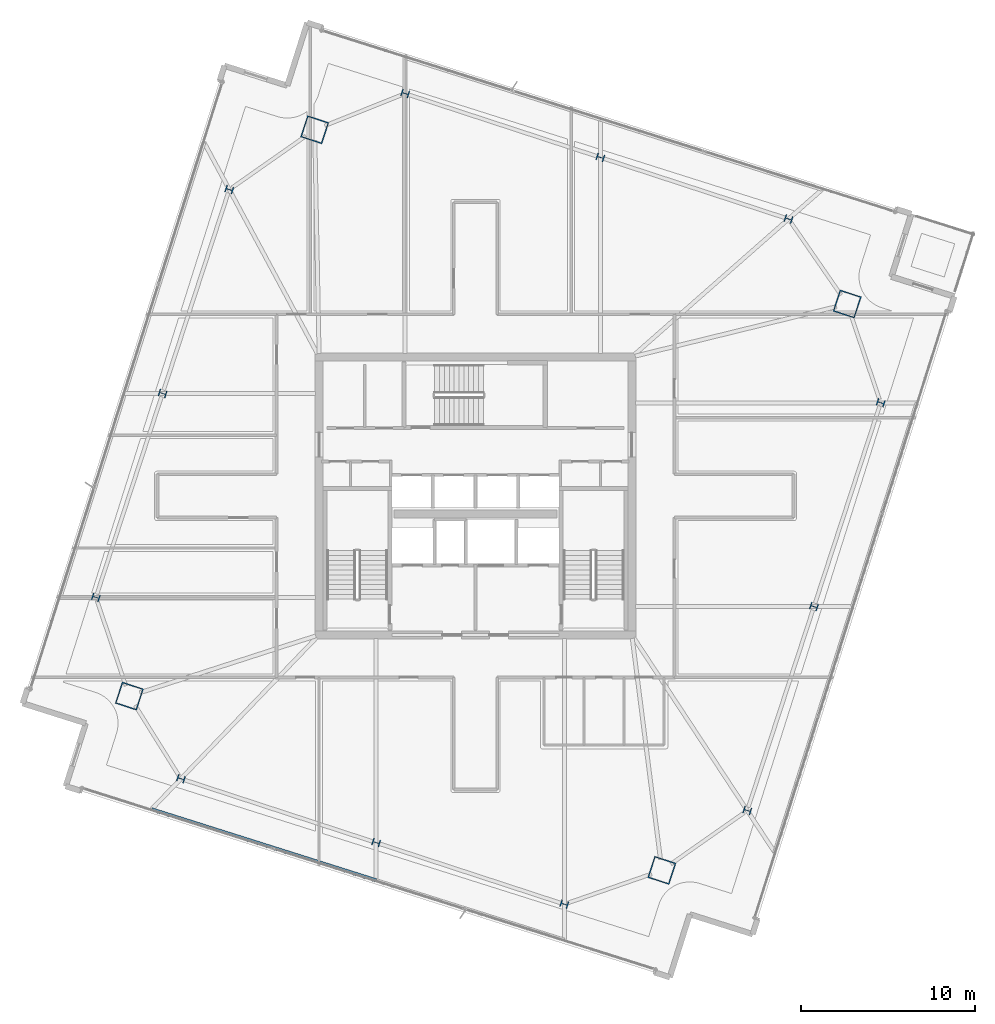
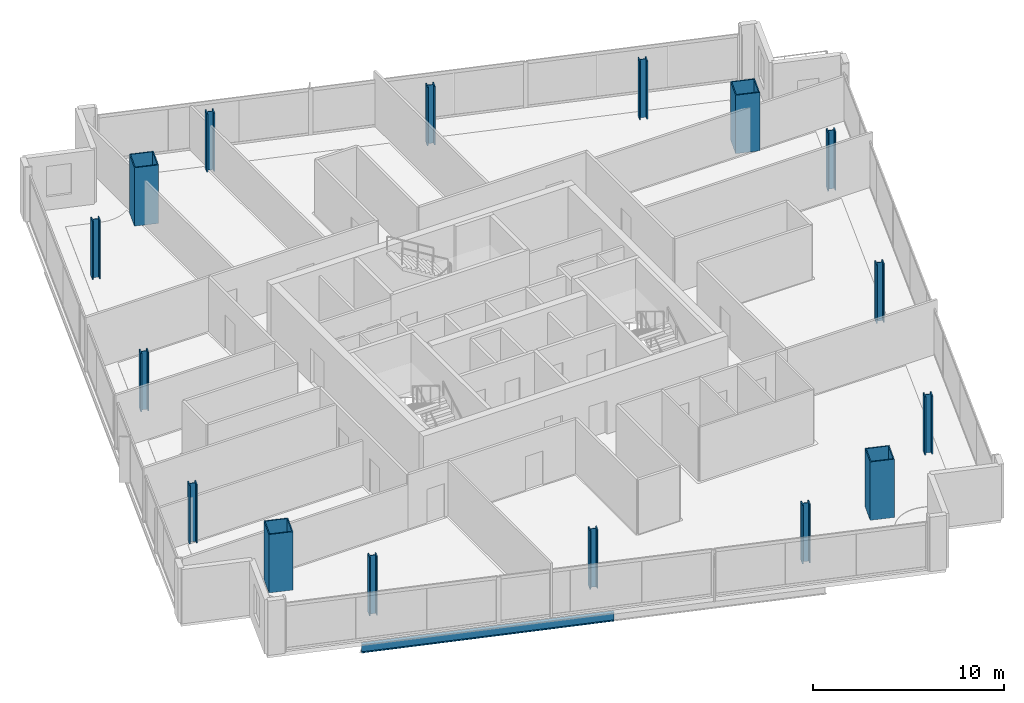
# One storey, part 1 of 26: 16 columns, 1 beam.
"""IFC4 building model written with IfcOpenShell, lengths in metres."""

from ifc_helpers import new_model, si_unit, direction, frame, origin, origin_2d, place, context, subcontext, project, spatial, hollow_rectangle, i_section, extrude, material, material_profile, profile_set, type_object, element, save


model = new_model("IFC4")

# Units and contexts
model_context = context("Model", 3, precision=1e-05, world=origin(), true_north=direction((0.0, 1.0)))
body_context = subcontext(model_context, "Body", "Model", "MODEL_VIEW")
ifc_project = project(units=[si_unit("LENGTHUNIT", "METRE"), si_unit("AREAUNIT", "SQUARE_METRE"), si_unit("VOLUMEUNIT", "CUBIC_METRE"), si_unit("PLANEANGLEUNIT", "RADIAN"), si_unit("MASSUNIT", "GRAM", prefix="KILO")], contexts=[model_context])

# Site, building, storey
site_placement = place(None, origin())
site = spatial("IfcSite", under=ifc_project, at=site_placement, CompositionType="ELEMENT")
building_placement = place(site_placement, origin())
building = spatial("IfcBuilding", under=site, at=building_placement, Name="Haldenkirk Collegiate Tower", CompositionType="ELEMENT")
storey_placement = place(building_placement, frame((0.0, 0.0, 271.199951171875)))
storey = spatial("IfcBuildingStorey", under=building, at=storey_placement, Name="L68", CompositionType="ELEMENT", Elevation=271.199951171875)

# Columns
ifc_material_1 = material(Name="Steel ASTM A913 Grade 65", Category="steel")
ifc_material_profile_1 = material_profile(ifc_material_1, i_section(OverallWidth=0.416015625, OverallDepth=0.445068359375, WebThickness=0.0390625, FlangeThickness=0.062744140625, at=origin_2d()), Name="W14X342")
ifc_profile_set_1 = profile_set([ifc_material_profile_1], Name="Steel ASTM A913 Grade 65")
column_type_1 = type_object("IfcColumnType", Name="COL-INT-W14X342", PredefinedType="COLUMN", material=ifc_profile_set_1)
for number, where, z_axis, x_axis, name in (
    (1, (51.64306640625, 7.888671875, 0.0), (0.0, 0.0, 1.0), (0.311008203279, 0.950407227189, 0.0), "L68 perimeter gravity column PC-S1"),
    (2, (55.4833984375, 19.624267578125, 0.0), (0.0, 0.0, 1.0), (0.311008203279, 0.950407227189, 0.0), "L68 perimeter gravity column PC-S2"),
    (3, (59.32373046875, 31.360107421875, 0.0), (0.0, 0.0, 1.0), (0.311008203279, 0.950407227189, 0.0), "L68 perimeter gravity column PC-S3"),
    (4, (54.01806640625, 41.9365234375, 0.0), (0.0, 0.0, 1.0), (0.311008203279, 0.950407227189, 0.0), "L68 perimeter gravity column PC-E1"),
    (5, (43.18994140625, 45.47998046875, 0.0), (0.0, 0.0, 1.0), (0.311008203279, 0.950407227189, 0.0), "L68 perimeter gravity column PC-E2"),
    (6, (31.949462890625, 49.158203125, 0.0), (0.0, 0.0, 1.0), (0.311008203279, 0.950407227189, 0.0), "L68 perimeter gravity column PC-E3"),
    (7, (21.830078125, 43.629150390625, 0.0), (0.0, 0.0, 1.0), (0.311008203279, 0.950407227189, 0.0), "L68 perimeter gravity column PC-N1"),
    (8, (17.98974609375, 31.8935546875, 0.0), (0.0, 0.0, 1.0), (0.311008203279, 0.950407227189, 0.0), "L68 perimeter gravity column PC-N2"),
    (9, (14.1494140625, 20.157958984375, 0.0), (0.0, 0.0, 1.0), (0.311008203279, 0.950407227189, 0.0), "L68 perimeter gravity column PC-N3"),
    (10, (19.042724609375, 9.71630859375, 0.0), (0.0, 0.0, 1.0), (0.311008203279, 0.950407227189, 0.0), "L68 perimeter gravity column PC-W1"),
    (11, (30.283203125, 6.0380859375, 0.0), (0.0, 0.0, 1.0), (0.311008203279, 0.950407227189, 0.0), "L68 perimeter gravity column PC-W2"),
    (12, (41.111083984375, 2.49462890625, 0.0), (0.0, 0.0, 1.0), (0.311008203279, 0.950407227189, 0.0), "L68 perimeter gravity column PC-W3"),
):
    element("IfcColumn", number, at=place(storey_placement, frame(where, z_axis=z_axis, x_axis=x_axis)), inside=storey, type_object=column_type_1, Name=name, PredefinedType="COLUMN", context=body_context, shape_type="SweptSolid", body=[
        extrude(i_section(OverallWidth=0.416015625, OverallDepth=0.445068359375, WebThickness=0.0390625, FlangeThickness=0.062744140625, at=origin_2d()), origin(), (0.0, 0.0, 1.0), 3.75),
    ])
ifc_material_2 = material(Name="Steel ASTM A572 Grade 50", Category="steel")
ifc_material_profile_2 = material_profile(ifc_material_2, hollow_rectangle(XDim=1.300048828125, YDim=1.300048828125, WallThickness=0.06005859375, at=origin_2d()), Name="BOX1300X1300X60")
ifc_profile_set_2 = profile_set([ifc_material_profile_2], Name="Steel ASTM A572 Grade 50")
column_type_2 = type_object("IfcColumnType", Name="COL-MEGA-BOX1300X1300X60", PredefinedType="COLUMN", material=ifc_profile_set_2)
for number, where, z_axis, x_axis, name in (
    (13, (46.72802734375, 4.444580078125, 0.0), (0.0, 0.0, 1.0), (0.311008203279, 0.950407227189, 0.0), "L68 corner mega-column MC1"),
    (14, (57.395751953125, 37.04345703125, 0.0), (0.0, 0.0, 1.0), (0.311008203279, 0.950407227189, 0.0), "L68 corner mega-column MC2"),
    (15, (26.7451171875, 47.073486328125, 0.0), (0.0, 0.0, 1.0), (0.311008203279, 0.950407227189, 0.0), "L68 corner mega-column MC3"),
    (16, (16.077392578125, 14.474609375, 0.0), (0.0, 0.0, 1.0), (0.311008203279, 0.950407227189, 0.0), "L68 corner mega-column MC4"),
):
    element("IfcColumn", number, at=place(storey_placement, frame(where, z_axis=z_axis, x_axis=x_axis)), inside=storey, type_object=column_type_2, Name=name, PredefinedType="COLUMN", context=body_context, shape_type="SweptSolid", body=[
        extrude(hollow_rectangle(XDim=1.300048828125, YDim=1.300048828125, WallThickness=0.06005859375, at=origin_2d()), origin(), (0.0, 0.0, 1.0), 3.75),
    ])

# Beam
ifc_material_3 = material(Name="Steel ASTM A992 Grade 50", Category="steel")
ifc_material_profile_3 = material_profile(ifc_material_3, i_section(OverallWidth=0.2099609375, OverallDepth=0.537109375, WebThickness=0.010986328125, FlangeThickness=0.017333984375, at=origin_2d()), Name="W21X68")
ifc_profile_set_3 = profile_set([ifc_material_profile_3], Name="Steel ASTM A992 Grade 50")
beam_type = type_object("IfcBeamType", Name="BM-SPANDREL-W21X68", PredefinedType="SPANDREL", material=ifc_profile_set_3)
beam_placement = place(storey_placement, frame((17.349609375, 7.953857421875, -0.538330078125), z_axis=(0.953454735443, -0.301536179357, 0.0), x_axis=(0.301536179357, 0.953454735443, 0.0)))
element("IfcBeam", 17, at=beam_placement, inside=storey, type_object=beam_type, Name="L68 outer facade edge beam 4A", PredefinedType="SPANDREL", context=body_context, shape_type="SweptSolid", body=[
    extrude(i_section(OverallWidth=0.2099609375, OverallDepth=0.537109375, WebThickness=0.010986328125, FlangeThickness=0.017333984375, at=origin_2d()), origin(), (0.0, 0.0, 1.0), 13.56494140625),
])

save(model, "model.ifc")
